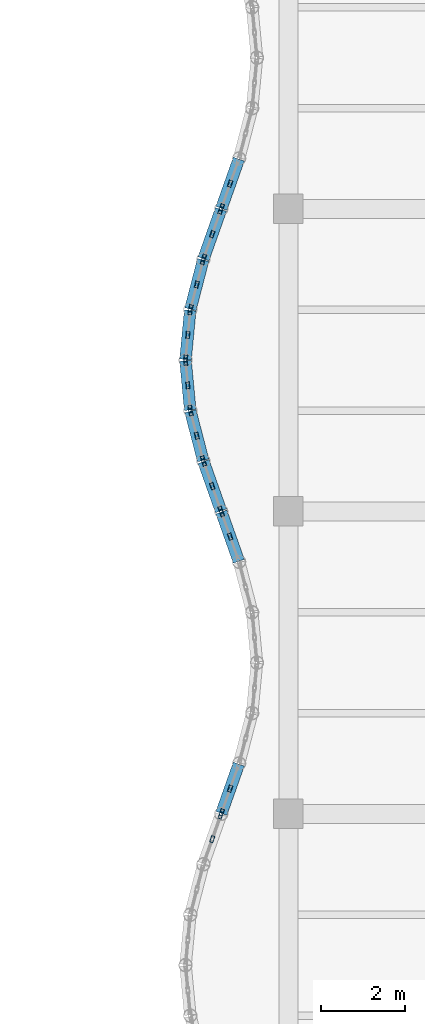
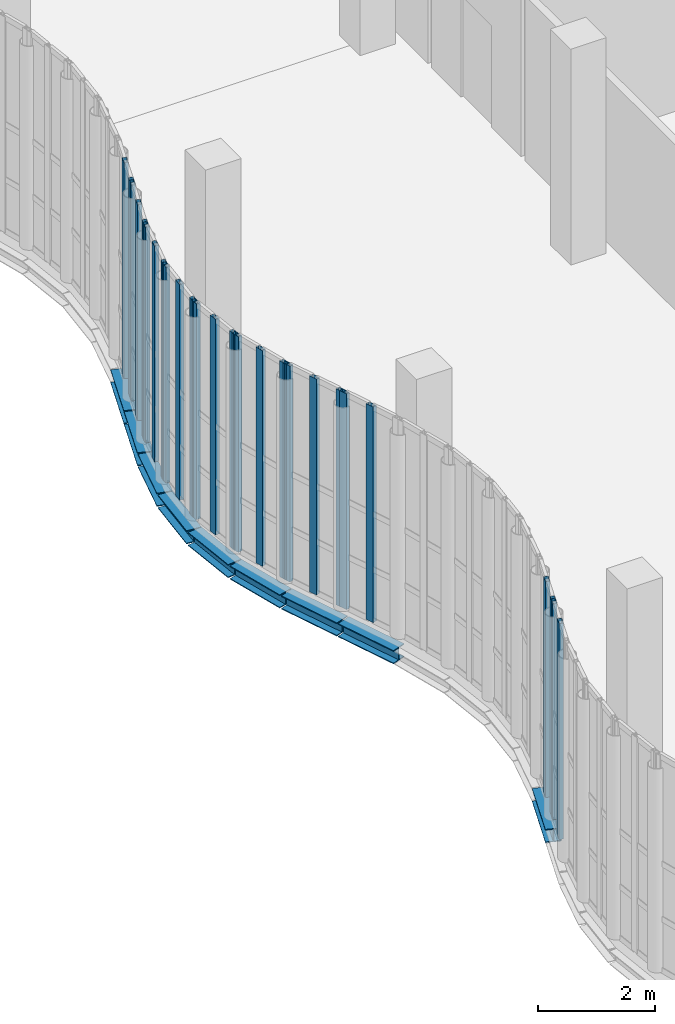
# One storey, part 21 of 108: 26 members, 9 beams, 10 elements without a shape of their own.
"""IFC4 building model written with IfcOpenShell, lengths in metres."""

from ifc_helpers import new_model, si_unit, direction, frame, origin, origin_2d, place, context, subcontext, project, spatial, hollow_rectangle, i_section, extrude, material, layer, layer_set, material_profile, profile_set, type_object, element, aggregate, save


model = new_model("IFC4")

# Units and contexts
model_context = context("Model", 3, precision=1e-05, world=origin(), true_north=direction((0.0, 1.0)))
body_context = subcontext(model_context, "Body", "Model", "MODEL_VIEW")
ifc_project = project(units=[si_unit("LENGTHUNIT", "METRE"), si_unit("AREAUNIT", "SQUARE_METRE"), si_unit("VOLUMEUNIT", "CUBIC_METRE"), si_unit("PLANEANGLEUNIT", "RADIAN"), si_unit("MASSUNIT", "GRAM", prefix="KILO"), si_unit("THERMODYNAMICTEMPERATUREUNIT", "KELVIN"), si_unit("POWERUNIT", "WATT")], contexts=[model_context])

# Site, building, storey
site_placement = place(None, origin())
site = spatial("IfcSite", under=ifc_project, at=site_placement, CompositionType="ELEMENT")
building_placement = place(site_placement, origin())
building = spatial("IfcBuilding", under=site, at=building_placement, Name="Kaldorven Railside Theatre", CompositionType="ELEMENT")
storey_placement = place(building_placement, frame((0.0, 0.0, 5.39990234375)))
storey = spatial("IfcBuildingStorey", under=building, at=storey_placement, Name="L01", CompositionType="ELEMENT", Elevation=5.39990234375)

# Beams
ifc_material_1 = material(Name="Steel S355", Category="steel")
ifc_material_profile_1 = material_profile(ifc_material_1, i_section(OverallWidth=0.280029296875, OverallDepth=0.280029296875, WebThickness=0.010498046875, FlangeThickness=0.01806640625, at=origin_2d()), Name="HEB 280")
ifc_profile_set_1 = profile_set([ifc_material_profile_1], Name="Steel S355")
beam_type = type_object("IfcBeamType", Name="BM-HEB280", PredefinedType="SPANDREL", material=ifc_profile_set_1)
for number, where, z_axis, x_axis, name in (
    (1, (71.205078125, 48.01416015625, -0.419921875), (0.333908952671, 0.942605331688, 0.0), (-0.942605331688, 0.333908952671, 0.0), "L01 Sinusoidal Flute Edge Spandrel FSB-223"),
    (2, (71.6201171875, 54.01416015625, -0.419921875), (-0.333908952671, 0.942605331688, 0.0), (-0.942605331688, -0.333908952671, 0.0), "L01 Sinusoidal Flute Edge Spandrel FSB-228"),
):
    element("IfcBeam", number, at=place(storey_placement, frame(where, z_axis=z_axis, x_axis=x_axis)), inside=storey, type_object=beam_type, Name=name, PredefinedType="SPANDREL", context=body_context, shape_type="SweptSolid", body=[
        extrude(i_section(OverallWidth=0.280029296875, OverallDepth=0.280029296875, WebThickness=0.010498046875, FlangeThickness=0.01806640625, at=origin_2d()), origin(), (0.0, 0.0, 1.0), 1.242919921875),
    ])
beam_1_placement = place(storey_placement, frame((71.195068359375, 55.214111328125, -0.419921875), z_axis=(-0.333847142245, 0.942627225161, 0.0), x_axis=(-0.942627225161, -0.333847142245, 0.0)))
element("IfcBeam", 3, at=beam_1_placement, inside=storey, type_object=beam_type, Name="L01 Sinusoidal Flute Edge Spandrel FSB-229", PredefinedType="SPANDREL", context=body_context, shape_type="SweptSolid", body=[
    extrude(i_section(OverallWidth=0.280029296875, OverallDepth=0.280029296875, WebThickness=0.010498046875, FlangeThickness=0.01806640625, at=origin_2d()), origin(), (0.0, 0.0, 1.0), 1.2431640625),
])
beam_2_placement = place(storey_placement, frame((70.771240234375, 56.41455078125, -0.419921875), z_axis=(-0.250885106576, 0.968016871391, 0.0), x_axis=(-0.968016871391, -0.250885106576, 0.0)))
element("IfcBeam", 4, at=beam_2_placement, inside=storey, type_object=beam_type, Name="L01 Sinusoidal Flute Edge Spandrel FSB-230", PredefinedType="SPANDREL", context=body_context, shape_type="SweptSolid", body=[
    extrude(i_section(OverallWidth=0.280029296875, OverallDepth=0.280029296875, WebThickness=0.010498046875, FlangeThickness=0.01806640625, at=origin_2d()), origin(), (0.0, 0.0, 1.0), 1.20947265625),
])
for number, where, z_axis, x_axis, name in (
    (5, (70.46240234375, 57.614990234375, -0.419921875), (-0.094505233873, 0.99552436473, 0.0), (-0.99552436473, -0.094505233873, 0.0), "L01 Sinusoidal Flute Edge Spandrel FSB-231"),
    (6, (70.351318359375, 58.81494140625, -0.419921875), (0.094505233873, 0.99552436473, 0.0), (-0.99552436473, 0.094505233873, 0.0), "L01 Sinusoidal Flute Edge Spandrel FSB-232"),
):
    element("IfcBeam", number, at=place(storey_placement, frame(where, z_axis=z_axis, x_axis=x_axis)), inside=storey, type_object=beam_type, Name=name, PredefinedType="SPANDREL", context=body_context, shape_type="SweptSolid", body=[
        extrude(i_section(OverallWidth=0.280029296875, OverallDepth=0.280029296875, WebThickness=0.010498046875, FlangeThickness=0.01806640625, at=origin_2d()), origin(), (0.0, 0.0, 1.0), 1.175537109375),
    ])
beam_3_placement = place(storey_placement, frame((70.4677734375, 60.014404296875, -0.419921875), z_axis=(0.250836097156, 0.96802957205, 0.0), x_axis=(-0.96802957205, 0.250836097156, 0.0)))
element("IfcBeam", 7, at=beam_3_placement, inside=storey, type_object=beam_type, Name="L01 Sinusoidal Flute Edge Spandrel FSB-233", PredefinedType="SPANDREL", context=body_context, shape_type="SweptSolid", body=[
    extrude(i_section(OverallWidth=0.280029296875, OverallDepth=0.280029296875, WebThickness=0.010498046875, FlangeThickness=0.01806640625, at=origin_2d()), origin(), (0.0, 0.0, 1.0), 1.209716796875),
])
for number, where, z_axis, x_axis, name in (
    (8, (70.780029296875, 61.214111328125, -0.419921875), (0.333847142245, 0.942627225161, 0.0), (-0.942627225161, 0.333847142245, 0.0), "L01 Sinusoidal Flute Edge Spandrel FSB-234"),
    (9, (71.205078125, 62.4140625, -0.419921875), (0.333847142245, 0.942627225161, 0.0), (-0.942627225161, 0.333847142245, 0.0), "L01 Sinusoidal Flute Edge Spandrel FSB-235"),
):
    element("IfcBeam", number, at=place(storey_placement, frame(where, z_axis=z_axis, x_axis=x_axis)), inside=storey, type_object=beam_type, Name=name, PredefinedType="SPANDREL", context=body_context, shape_type="SweptSolid", body=[
        extrude(i_section(OverallWidth=0.280029296875, OverallDepth=0.280029296875, WebThickness=0.010498046875, FlangeThickness=0.01806640625, at=origin_2d()), origin(), (0.0, 0.0, 1.0), 1.2431640625),
    ])

# Curtain wall, members
ifc_material_2 = material(Name="Low-E laminated solar-control glass", Category="glass")
ifc_layer_1 = layer(ifc_material_2, 0.159912109375, Name="Low-E laminated solar-control glass")
ifc_layer_set_1 = layer_set([ifc_layer_1], Name="Low-E laminated solar-control glass")
curtain_wall_type_1 = type_object("IfcCurtainWallType", Name="CWT-01", PredefinedType="USERDEFINED", material=ifc_layer_set_1)
curtain_wall_1_placement = place(storey_placement, origin())
curtain_wall_1 = element("IfcCurtainWall", 10, at=curtain_wall_1_placement, inside=storey, type_object=curtain_wall_type_1, Name="Sinusoidal Fluted Curtain Wall CW-L01-W06", ObjectType="FLUTED GLAZING", PredefinedType="USERDEFINED")
ifc_material_3 = material(Name="Anodised bronze aluminium", Category="aluminium")
ifc_material_profile_2 = material_profile(ifc_material_3, hollow_rectangle(XDim=0.080078125, YDim=0.159912109375, WallThickness=0.00634765625, at=origin_2d()), Name="RHS 160x80x6.3")
ifc_profile_set_2 = profile_set([ifc_material_profile_2], Name="Anodised bronze aluminium")
member_type = type_object("IfcMemberType", Name="CWM-160", PredefinedType="MULLION", material=ifc_profile_set_2)
member_1_placement = place(storey_placement, frame((70.987548828125, 47.39990234375, 0.0), z_axis=(0.0, 0.0, 1.0), x_axis=(-0.942627225159, 0.33384714225, 0.0)))
member_1 = element("IfcMember", 11, at=member_1_placement, type_object=member_type, Name="CW-L01-W06 mullion 2", PredefinedType="MULLION", context=body_context, shape_type="SweptSolid", body=[
    extrude(hollow_rectangle(XDim=0.080078125, YDim=0.159912109375, WallThickness=0.00634765625, at=origin_2d()), origin(), (0.0, 0.0, 1.0), 4.5),
])
member_2_placement = place(storey_placement, frame((71.186767578125, 47.96240234375, 0.0), z_axis=(0.0, 0.0, 1.0), x_axis=(-0.942627225159, 0.33384714225, 0.0)))
member_2 = element("IfcMember", 12, at=member_2_placement, type_object=member_type, Name="CW-L01-W06 mullion 3", PredefinedType="MULLION", context=body_context, shape_type="SweptSolid", body=[
    extrude(hollow_rectangle(XDim=0.080078125, YDim=0.159912109375, WallThickness=0.00634765625, at=origin_2d()), origin(), (0.0, 0.0, 1.0), 4.5),
])
aggregate(curtain_wall_1, [member_1, member_2])

curtain_wall_2_placement = place(storey_placement, origin())
curtain_wall_2 = element("IfcCurtainWall", 13, at=curtain_wall_2_placement, inside=storey, type_object=curtain_wall_type_1, Name="Sinusoidal Fluted Curtain Wall CW-L01-W07", ObjectType="FLUTED GLAZING", PredefinedType="USERDEFINED")
member_3_placement = place(storey_placement, frame((71.21337890625, 48.03759765625, 0.0), z_axis=(0.0, 0.0, 1.0), x_axis=(-0.942627225159, 0.33384714225, 0.0)))
member_3 = element("IfcMember", 14, at=member_3_placement, type_object=member_type, Name="CW-L01-W07 mullion 1", PredefinedType="MULLION", context=body_context, shape_type="SweptSolid", body=[
    extrude(hollow_rectangle(XDim=0.080078125, YDim=0.159912109375, WallThickness=0.00634765625, at=origin_2d()), origin(), (0.0, 0.0, 1.0), 4.5),
])
member_4_placement = place(storey_placement, frame((71.41259765625, 48.60009765625, 0.0), z_axis=(0.0, 0.0, 1.0), x_axis=(-0.942627225159, 0.33384714225, 0.0)))
member_4 = element("IfcMember", 15, at=member_4_placement, type_object=member_type, Name="CW-L01-W07 mullion 2", PredefinedType="MULLION", context=body_context, shape_type="SweptSolid", body=[
    extrude(hollow_rectangle(XDim=0.080078125, YDim=0.159912109375, WallThickness=0.00634765625, at=origin_2d()), origin(), (0.0, 0.0, 1.0), 4.5),
])
aggregate(curtain_wall_2, [member_3, member_4])

curtain_wall_3_placement = place(storey_placement, origin())
curtain_wall_3 = element("IfcCurtainWall", 16, at=curtain_wall_3_placement, inside=storey, type_object=curtain_wall_type_1, Name="Sinusoidal Fluted Curtain Wall CW-L01-W12", ObjectType="FLUTED GLAZING", PredefinedType="USERDEFINED")
member_5_placement = place(storey_placement, frame((71.41259765625, 54.60009765625, 0.0), z_axis=(0.0, 0.0, 1.0), x_axis=(-0.942627225159, -0.33384714225, 0.0)))
member_5 = element("IfcMember", 17, at=member_5_placement, type_object=member_type, Name="CW-L01-W12 mullion 2", PredefinedType="MULLION", context=body_context, shape_type="SweptSolid", body=[
    extrude(hollow_rectangle(XDim=0.080078125, YDim=0.159912109375, WallThickness=0.00634765625, at=origin_2d()), origin(), (0.0, 0.0, 1.0), 4.5),
])
member_6_placement = place(storey_placement, frame((71.21337890625, 55.162353515625, 0.0), z_axis=(0.0, 0.0, 1.0), x_axis=(-0.942627225159, -0.33384714225, 0.0)))
member_6 = element("IfcMember", 18, at=member_6_placement, type_object=member_type, Name="CW-L01-W12 mullion 3", PredefinedType="MULLION", context=body_context, shape_type="SweptSolid", body=[
    extrude(hollow_rectangle(XDim=0.080078125, YDim=0.159912109375, WallThickness=0.00634765625, at=origin_2d()), origin(), (0.0, 0.0, 1.0), 4.5),
])
aggregate(curtain_wall_3, [member_5, member_6])

curtain_wall_4_placement = place(storey_placement, origin())
curtain_wall_4 = element("IfcCurtainWall", 19, at=curtain_wall_4_placement, inside=storey, type_object=curtain_wall_type_1, Name="Sinusoidal Fluted Curtain Wall CW-L01-W13", ObjectType="FLUTED GLAZING", PredefinedType="USERDEFINED")
member_7_placement = place(storey_placement, frame((71.186767578125, 55.23779296875, 0.0), z_axis=(0.0, 0.0, 1.0), x_axis=(-0.942627225159, -0.33384714225, 0.0)))
member_7 = element("IfcMember", 20, at=member_7_placement, type_object=member_type, Name="CW-L01-W13 mullion 1", PredefinedType="MULLION", context=body_context, shape_type="SweptSolid", body=[
    extrude(hollow_rectangle(XDim=0.080078125, YDim=0.159912109375, WallThickness=0.00634765625, at=origin_2d()), origin(), (0.0, 0.0, 1.0), 4.5),
])
member_8_placement = place(storey_placement, frame((70.987548828125, 55.800048828125, 0.0), z_axis=(0.0, 0.0, 1.0), x_axis=(-0.942627225159, -0.33384714225, 0.0)))
member_8 = element("IfcMember", 21, at=member_8_placement, type_object=member_type, Name="CW-L01-W13 mullion 2", PredefinedType="MULLION", context=body_context, shape_type="SweptSolid", body=[
    extrude(hollow_rectangle(XDim=0.080078125, YDim=0.159912109375, WallThickness=0.00634765625, at=origin_2d()), origin(), (0.0, 0.0, 1.0), 4.5),
])
member_9_placement = place(storey_placement, frame((70.788330078125, 56.3623046875, 0.0), z_axis=(0.0, 0.0, 1.0), x_axis=(-0.942627225159, -0.33384714225, 0.0)))
member_9 = element("IfcMember", 22, at=member_9_placement, type_object=member_type, Name="CW-L01-W13 mullion 3", PredefinedType="MULLION", context=body_context, shape_type="SweptSolid", body=[
    extrude(hollow_rectangle(XDim=0.080078125, YDim=0.159912109375, WallThickness=0.00634765625, at=origin_2d()), origin(), (0.0, 0.0, 1.0), 4.5),
])
aggregate(curtain_wall_4, [member_7, member_8, member_9])

ifc_layer_2 = layer(ifc_material_2, 0.159912109375, Name="Low-E laminated solar-control glass")
ifc_layer_set_2 = layer_set([ifc_layer_2], Name="Low-E laminated solar-control glass")
curtain_wall_type_2 = type_object("IfcCurtainWallType", Name="CWT-02", PredefinedType="USERDEFINED", material=ifc_layer_set_2)
curtain_wall_5_placement = place(storey_placement, origin())
curtain_wall_5 = element("IfcCurtainWall", 23, at=curtain_wall_5_placement, inside=storey, type_object=curtain_wall_type_2, Name="Sinusoidal Fluted Curtain Wall CW-L01-W14", ObjectType="FLUTED GLAZING", PredefinedType="USERDEFINED")
member_10_placement = place(storey_placement, frame((70.764892578125, 56.438720703125, 0.0), z_axis=(0.0, 0.0, 1.0), x_axis=(-0.967999075505, -0.250953760326, 0.0)))
member_10 = element("IfcMember", 24, at=member_10_placement, type_object=member_type, Name="CW-L01-W14 mullion 1", PredefinedType="MULLION", context=body_context, shape_type="SweptSolid", body=[
    extrude(hollow_rectangle(XDim=0.080078125, YDim=0.159912109375, WallThickness=0.00634765625, at=origin_2d()), origin(), (0.0, 0.0, 1.0), 4.5),
])
member_11_placement = place(storey_placement, frame((70.619384765625, 57.0, 0.0), z_axis=(0.0, 0.0, 1.0), x_axis=(-0.967999075505, -0.250953760326, 0.0)))
member_11 = element("IfcMember", 25, at=member_11_placement, type_object=member_type, Name="CW-L01-W14 mullion 2", PredefinedType="MULLION", context=body_context, shape_type="SweptSolid", body=[
    extrude(hollow_rectangle(XDim=0.080078125, YDim=0.159912109375, WallThickness=0.00634765625, at=origin_2d()), origin(), (0.0, 0.0, 1.0), 4.5),
])
member_12_placement = place(storey_placement, frame((70.473876953125, 57.561279296875, 0.0), z_axis=(0.0, 0.0, 1.0), x_axis=(-0.967999075505, -0.250953760326, 0.0)))
member_12 = element("IfcMember", 26, at=member_12_placement, type_object=member_type, Name="CW-L01-W14 mullion 3", PredefinedType="MULLION", context=body_context, shape_type="SweptSolid", body=[
    extrude(hollow_rectangle(XDim=0.080078125, YDim=0.159912109375, WallThickness=0.00634765625, at=origin_2d()), origin(), (0.0, 0.0, 1.0), 4.5),
])
aggregate(curtain_wall_5, [member_10, member_11, member_12])

ifc_layer_3 = layer(ifc_material_2, 0.159912109375, Name="Low-E laminated solar-control glass")
ifc_layer_set_3 = layer_set([ifc_layer_3], Name="Low-E laminated solar-control glass")
curtain_wall_type_3 = type_object("IfcCurtainWallType", Name="CWT-03", PredefinedType="USERDEFINED", material=ifc_layer_set_3)
curtain_wall_6_placement = place(storey_placement, origin())
curtain_wall_6 = element("IfcCurtainWall", 27, at=curtain_wall_6_placement, inside=storey, type_object=curtain_wall_type_3, Name="Sinusoidal Fluted Curtain Wall CW-L01-W15", ObjectType="FLUTED GLAZING", PredefinedType="USERDEFINED")
member_13_placement = place(storey_placement, frame((70.460205078125, 57.639892578125, 0.0), z_axis=(0.0, 0.0, 1.0), x_axis=(-0.995525623425, -0.094491973758, 0.0)))
member_13 = element("IfcMember", 28, at=member_13_placement, type_object=member_type, Name="CW-L01-W15 mullion 1", PredefinedType="MULLION", context=body_context, shape_type="SweptSolid", body=[
    extrude(hollow_rectangle(XDim=0.080078125, YDim=0.159912109375, WallThickness=0.00634765625, at=origin_2d()), origin(), (0.0, 0.0, 1.0), 4.5),
])
member_14_placement = place(storey_placement, frame((70.406982421875, 58.199951171875, 0.0), z_axis=(0.0, 0.0, 1.0), x_axis=(-0.995525623425, -0.094491973758, 0.0)))
member_14 = element("IfcMember", 29, at=member_14_placement, type_object=member_type, Name="CW-L01-W15 mullion 2", PredefinedType="MULLION", context=body_context, shape_type="SweptSolid", body=[
    extrude(hollow_rectangle(XDim=0.080078125, YDim=0.159912109375, WallThickness=0.00634765625, at=origin_2d()), origin(), (0.0, 0.0, 1.0), 4.5),
])
member_15_placement = place(storey_placement, frame((70.353759765625, 58.76025390625, 0.0), z_axis=(0.0, 0.0, 1.0), x_axis=(-0.995525623425, -0.094491973758, 0.0)))
member_15 = element("IfcMember", 30, at=member_15_placement, type_object=member_type, Name="CW-L01-W15 mullion 3", PredefinedType="MULLION", context=body_context, shape_type="SweptSolid", body=[
    extrude(hollow_rectangle(XDim=0.080078125, YDim=0.159912109375, WallThickness=0.00634765625, at=origin_2d()), origin(), (0.0, 0.0, 1.0), 4.5),
])
aggregate(curtain_wall_6, [member_13, member_14, member_15])

curtain_wall_7_placement = place(storey_placement, origin())
curtain_wall_7 = element("IfcCurtainWall", 31, at=curtain_wall_7_placement, inside=storey, type_object=curtain_wall_type_3, Name="Sinusoidal Fluted Curtain Wall CW-L01-W16", ObjectType="FLUTED GLAZING", PredefinedType="USERDEFINED")
member_16_placement = place(storey_placement, frame((70.353759765625, 58.83984375, 0.0), z_axis=(0.0, 0.0, 1.0), x_axis=(-0.995525623425, 0.094491973758, 0.0)))
member_16 = element("IfcMember", 32, at=member_16_placement, type_object=member_type, Name="CW-L01-W16 mullion 1", PredefinedType="MULLION", context=body_context, shape_type="SweptSolid", body=[
    extrude(hollow_rectangle(XDim=0.080078125, YDim=0.159912109375, WallThickness=0.00634765625, at=origin_2d()), origin(), (0.0, 0.0, 1.0), 4.5),
])
member_17_placement = place(storey_placement, frame((70.406982421875, 59.39990234375, 0.0), z_axis=(0.0, 0.0, 1.0), x_axis=(-0.995525623425, 0.094491973758, 0.0)))
member_17 = element("IfcMember", 33, at=member_17_placement, type_object=member_type, Name="CW-L01-W16 mullion 2", PredefinedType="MULLION", context=body_context, shape_type="SweptSolid", body=[
    extrude(hollow_rectangle(XDim=0.080078125, YDim=0.159912109375, WallThickness=0.00634765625, at=origin_2d()), origin(), (0.0, 0.0, 1.0), 4.5),
])
member_18_placement = place(storey_placement, frame((70.460205078125, 59.960205078125, 0.0), z_axis=(0.0, 0.0, 1.0), x_axis=(-0.995525623425, 0.094491973758, 0.0)))
member_18 = element("IfcMember", 34, at=member_18_placement, type_object=member_type, Name="CW-L01-W16 mullion 3", PredefinedType="MULLION", context=body_context, shape_type="SweptSolid", body=[
    extrude(hollow_rectangle(XDim=0.080078125, YDim=0.159912109375, WallThickness=0.00634765625, at=origin_2d()), origin(), (0.0, 0.0, 1.0), 4.5),
])
aggregate(curtain_wall_7, [member_16, member_17, member_18])

curtain_wall_8_placement = place(storey_placement, origin())
curtain_wall_8 = element("IfcCurtainWall", 35, at=curtain_wall_8_placement, inside=storey, type_object=curtain_wall_type_2, Name="Sinusoidal Fluted Curtain Wall CW-L01-W17", ObjectType="FLUTED GLAZING", PredefinedType="USERDEFINED")
member_19_placement = place(storey_placement, frame((70.473876953125, 60.038818359375, 0.0), z_axis=(0.0, 0.0, 1.0), x_axis=(-0.967999075505, 0.250953760326, 0.0)))
member_19 = element("IfcMember", 36, at=member_19_placement, type_object=member_type, Name="CW-L01-W17 mullion 1", PredefinedType="MULLION", context=body_context, shape_type="SweptSolid", body=[
    extrude(hollow_rectangle(XDim=0.080078125, YDim=0.159912109375, WallThickness=0.00634765625, at=origin_2d()), origin(), (0.0, 0.0, 1.0), 4.5),
])
member_20_placement = place(storey_placement, frame((70.619384765625, 60.60009765625, 0.0), z_axis=(0.0, 0.0, 1.0), x_axis=(-0.967999075505, 0.250953760326, 0.0)))
member_20 = element("IfcMember", 37, at=member_20_placement, type_object=member_type, Name="CW-L01-W17 mullion 2", PredefinedType="MULLION", context=body_context, shape_type="SweptSolid", body=[
    extrude(hollow_rectangle(XDim=0.080078125, YDim=0.159912109375, WallThickness=0.00634765625, at=origin_2d()), origin(), (0.0, 0.0, 1.0), 4.5),
])
member_21_placement = place(storey_placement, frame((70.764892578125, 61.161376953125, 0.0), z_axis=(0.0, 0.0, 1.0), x_axis=(-0.967999075505, 0.250953760326, 0.0)))
member_21 = element("IfcMember", 38, at=member_21_placement, type_object=member_type, Name="CW-L01-W17 mullion 3", PredefinedType="MULLION", context=body_context, shape_type="SweptSolid", body=[
    extrude(hollow_rectangle(XDim=0.080078125, YDim=0.159912109375, WallThickness=0.00634765625, at=origin_2d()), origin(), (0.0, 0.0, 1.0), 4.5),
])
aggregate(curtain_wall_8, [member_19, member_20, member_21])

curtain_wall_9_placement = place(storey_placement, origin())
curtain_wall_9 = element("IfcCurtainWall", 39, at=curtain_wall_9_placement, inside=storey, type_object=curtain_wall_type_1, Name="Sinusoidal Fluted Curtain Wall CW-L01-W18", ObjectType="FLUTED GLAZING", PredefinedType="USERDEFINED")
member_22_placement = place(storey_placement, frame((70.788330078125, 61.23779296875, 0.0), z_axis=(0.0, 0.0, 1.0), x_axis=(-0.942627225159, 0.33384714225, 0.0)))
member_22 = element("IfcMember", 40, at=member_22_placement, type_object=member_type, Name="CW-L01-W18 mullion 1", PredefinedType="MULLION", context=body_context, shape_type="SweptSolid", body=[
    extrude(hollow_rectangle(XDim=0.080078125, YDim=0.159912109375, WallThickness=0.00634765625, at=origin_2d()), origin(), (0.0, 0.0, 1.0), 4.5),
])
member_23_placement = place(storey_placement, frame((70.987548828125, 61.800048828125, 0.0), z_axis=(0.0, 0.0, 1.0), x_axis=(-0.942627225159, 0.33384714225, 0.0)))
member_23 = element("IfcMember", 41, at=member_23_placement, type_object=member_type, Name="CW-L01-W18 mullion 2", PredefinedType="MULLION", context=body_context, shape_type="SweptSolid", body=[
    extrude(hollow_rectangle(XDim=0.080078125, YDim=0.159912109375, WallThickness=0.00634765625, at=origin_2d()), origin(), (0.0, 0.0, 1.0), 4.5),
])
member_24_placement = place(storey_placement, frame((71.186767578125, 62.3623046875, 0.0), z_axis=(0.0, 0.0, 1.0), x_axis=(-0.942627225159, 0.33384714225, 0.0)))
member_24 = element("IfcMember", 42, at=member_24_placement, type_object=member_type, Name="CW-L01-W18 mullion 3", PredefinedType="MULLION", context=body_context, shape_type="SweptSolid", body=[
    extrude(hollow_rectangle(XDim=0.080078125, YDim=0.159912109375, WallThickness=0.00634765625, at=origin_2d()), origin(), (0.0, 0.0, 1.0), 4.5),
])
aggregate(curtain_wall_9, [member_22, member_23, member_24])

curtain_wall_10_placement = place(storey_placement, origin())
curtain_wall_10 = element("IfcCurtainWall", 43, at=curtain_wall_10_placement, inside=storey, type_object=curtain_wall_type_1, Name="Sinusoidal Fluted Curtain Wall CW-L01-W19", ObjectType="FLUTED GLAZING", PredefinedType="USERDEFINED")
member_25_placement = place(storey_placement, frame((71.21337890625, 62.437744140625, 0.0), z_axis=(0.0, 0.0, 1.0), x_axis=(-0.942627225159, 0.33384714225, 0.0)))
member_25 = element("IfcMember", 44, at=member_25_placement, type_object=member_type, Name="CW-L01-W19 mullion 1", PredefinedType="MULLION", context=body_context, shape_type="SweptSolid", body=[
    extrude(hollow_rectangle(XDim=0.080078125, YDim=0.159912109375, WallThickness=0.00634765625, at=origin_2d()), origin(), (0.0, 0.0, 1.0), 4.5),
])
member_26_placement = place(storey_placement, frame((71.41259765625, 63.0, 0.0), z_axis=(0.0, 0.0, 1.0), x_axis=(-0.942627225159, 0.33384714225, 0.0)))
member_26 = element("IfcMember", 45, at=member_26_placement, type_object=member_type, Name="CW-L01-W19 mullion 2", PredefinedType="MULLION", context=body_context, shape_type="SweptSolid", body=[
    extrude(hollow_rectangle(XDim=0.080078125, YDim=0.159912109375, WallThickness=0.00634765625, at=origin_2d()), origin(), (0.0, 0.0, 1.0), 4.5),
])
aggregate(curtain_wall_10, [member_25, member_26])

save(model, "model.ifc")
